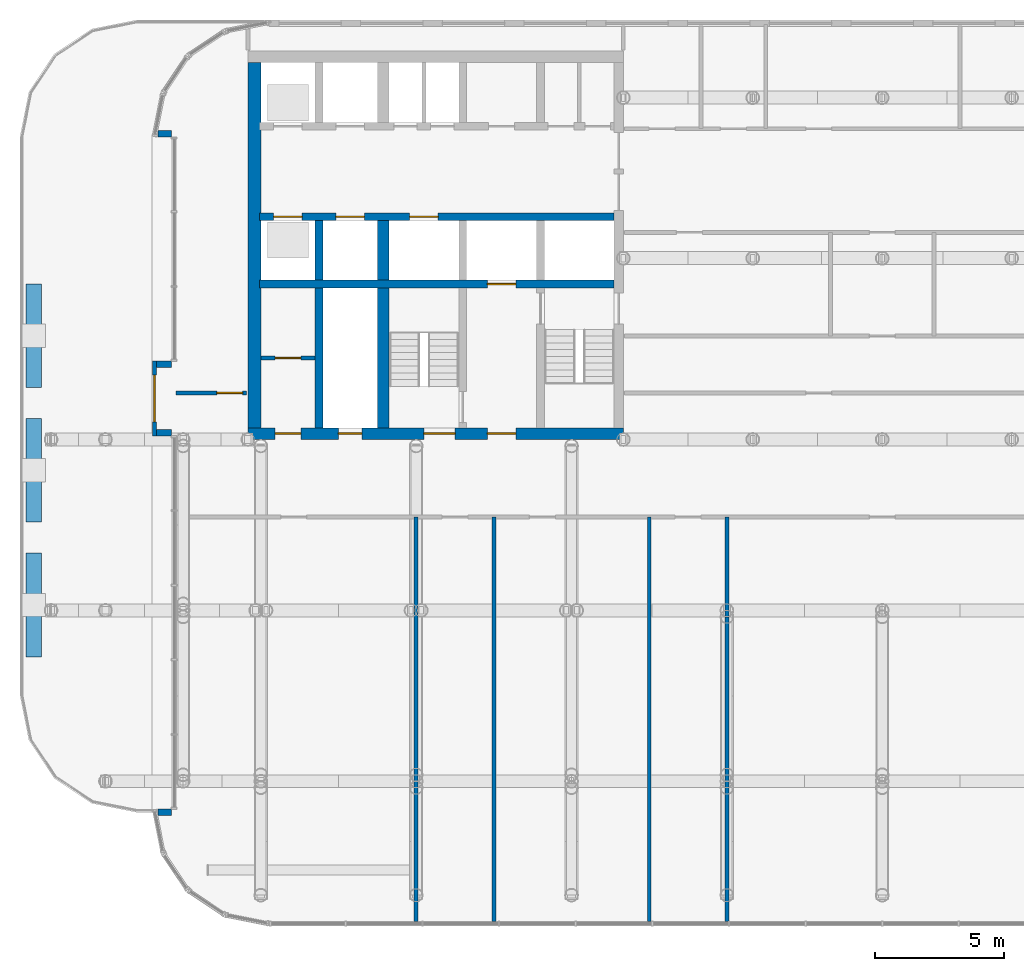
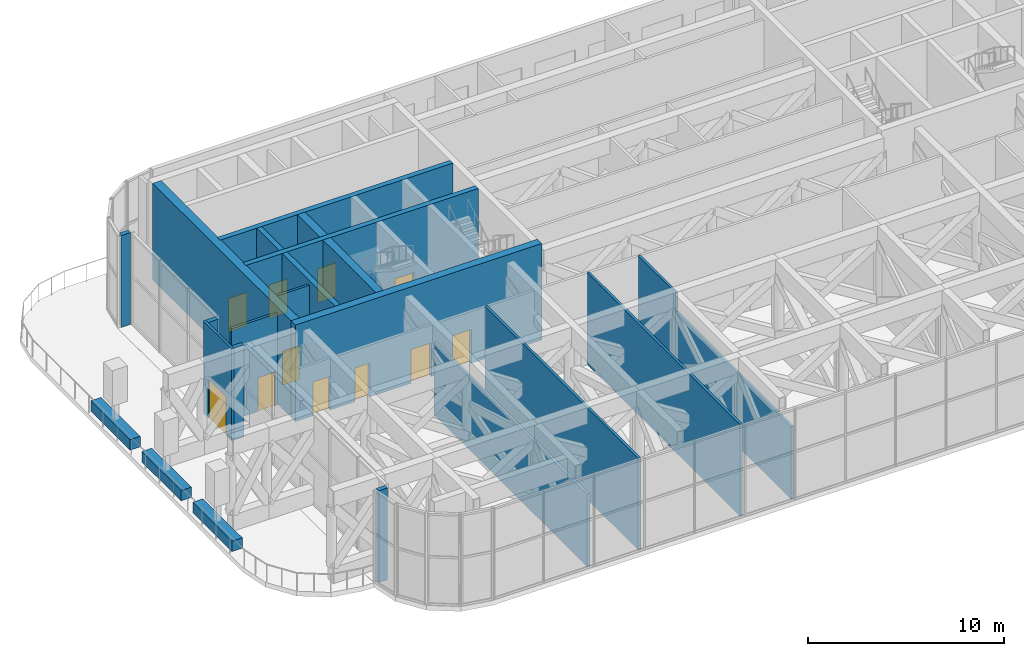
# One storey, part 16 of 25: 23 walls, 11 doors, 11 openings.
"""IFC4 building model written with IfcOpenShell, lengths in metres."""

from ifc_helpers import new_model, si_unit, direction, frame, frame_2d, origin, place, context, subcontext, project, spatial, rectangle, extrude, material, layer, layer_set, type_object, element, fill, save


model = new_model("IFC4")

# Units and contexts
model_context = context("Model", 3, precision=1e-05, world=origin(), true_north=direction((0.0, 1.0)))
body_context = subcontext(model_context, "Body", "Model", "MODEL_VIEW")
ifc_project = project(units=[si_unit("LENGTHUNIT", "METRE"), si_unit("AREAUNIT", "SQUARE_METRE"), si_unit("VOLUMEUNIT", "CUBIC_METRE"), si_unit("PLANEANGLEUNIT", "RADIAN"), si_unit("MASSUNIT", "GRAM", prefix="KILO")], contexts=[model_context])

# Site, building, storey
site_placement = place(None, origin())
site = spatial("IfcSite", under=ifc_project, at=site_placement, CompositionType="ELEMENT")
building_placement = place(site_placement, origin())
building = spatial("IfcBuilding", under=site, at=building_placement, Name="Torana Hotel and Residences", CompositionType="ELEMENT")
storey_placement = place(building_placement, frame((0.0, 0.0, 106.800048828125)))
storey = spatial("IfcBuildingStorey", under=building, at=storey_placement, Name="L27", CompositionType="ELEMENT", Elevation=106.800048828125)

# Wall, openings, doors
ifc_material_1 = material(Name="Concrete C70/85", Category="concrete")
ifc_layer_1 = layer(ifc_material_1, 0.300048828125)
ifc_layer_set_1 = layer_set([ifc_layer_1], Name="CORE WALL 300 C70/85")
wall_type_1 = type_object("IfcWallType", Name="CORE WALL 300 C70/85", PredefinedType="SHEAR", material=ifc_layer_set_1)
wall_1_placement = place(storey_placement, frame((-24.050048828125, -6.39990234375, 0.0), z_axis=(0.0, 0.0, 1.0), x_axis=(1.0, 0.0, 0.0)))
wall_1 = element("IfcWall", 1, at=wall_1_placement, inside=storey, type_object=wall_type_1, Name="Core wall W row-S", PredefinedType="SHEAR", context=body_context, shape_type="SweptSolid", body=[
    extrude(rectangle(XDim=13.699951171875, YDim=0.300048828125, at=frame_2d((6.85009765625, 0.0))), origin(), (0.0, 0.0, 1.0), 6.0),
])
opening_1_placement = place(wall_1_placement, frame((2.949951171875, 0.0, 0.0)))
opening_1 = element("IfcOpeningElement", 2, at=opening_1_placement, cuts=wall_1, Name="Opening LD", PredefinedType="OPENING", context=body_context, shape_type="SweptSolid", body=[
    extrude(rectangle(XDim=1.10009765625, YDim=2.10009765625, at=frame_2d((0.550048828125, 1.050048828125))), frame((0.0, 0.159912109375, 0.0), z_axis=(0.0, -1.0, 0.0), x_axis=(1.0, 0.0, 0.0)), (0.0, 0.0, 1.0), 0.320068359375),
])
opening_2_placement = place(wall_1_placement, frame((0.550048828125, 0.0, 0.0)))
opening_2 = element("IfcOpeningElement", 3, at=opening_2_placement, cuts=wall_1, Name="Opening LD", PredefinedType="OPENING", context=body_context, shape_type="SweptSolid", body=[
    extrude(rectangle(XDim=1.10009765625, YDim=2.10009765625, at=frame_2d((0.550048828125, 1.050048828125))), frame((0.0, 0.159912109375, 0.0), z_axis=(0.0, -1.0, 0.0), x_axis=(1.0, 0.0, 0.0)), (0.0, 0.0, 1.0), 0.320068359375),
])
opening_3_placement = place(wall_1_placement, frame((5.800048828125, 0.0, 0.0)))
opening_3 = element("IfcOpeningElement", 4, at=opening_3_placement, cuts=wall_1, Name="Opening LD", PredefinedType="OPENING", context=body_context, shape_type="SweptSolid", body=[
    extrude(rectangle(XDim=1.10009765625, YDim=2.10009765625, at=frame_2d((0.550048828125, 1.050048828125))), frame((0.0, 0.159912109375, 0.0), z_axis=(0.0, -1.0, 0.0), x_axis=(1.0, 0.0, 0.0)), (0.0, 0.0, 1.0), 0.320068359375),
])
ifc_material_2 = material(Name="Stainless steel 316", Category="steel")
door_type_1 = type_object("IfcDoorType", Name="LIFT LANDING DOOR LD 1100x2100", OperationType="DOUBLE_DOOR_SLIDING", PredefinedType="USERDEFINED", material=ifc_material_2)
door_1_placement = place(opening_1_placement, origin())
door_1 = element("IfcDoor", 5, at=door_1_placement, inside=storey, type_object=door_type_1, Name="Lift landing door S3 L27", ObjectType="LIFT LANDING DOOR", OperationType="DOUBLE_DOOR_SLIDING", OverallHeight=2.10009765625, OverallWidth=1.10009765625, PredefinedType="USERDEFINED", context=body_context, shape_type="SweptSolid", body=[
    extrude(rectangle(XDim=1.10009765625, YDim=2.10009765625, at=frame_2d((0.550048828125, 1.050048828125))), frame((0.0, 0.02490234375, 0.0), z_axis=(0.0, -1.0, 0.0), x_axis=(1.0, 0.0, 0.0)), (0.0, 0.0, 1.0), 0.050048828125),
])
fill(opening_1, door_1)
door_2_placement = place(opening_2_placement, origin())
door_2 = element("IfcDoor", 6, at=door_2_placement, inside=storey, type_object=door_type_1, Name="Lift landing door M2 L27", ObjectType="LIFT LANDING DOOR", OperationType="DOUBLE_DOOR_SLIDING", OverallHeight=2.10009765625, OverallWidth=1.10009765625, PredefinedType="USERDEFINED", context=body_context, shape_type="SweptSolid", body=[
    extrude(rectangle(XDim=1.10009765625, YDim=2.10009765625, at=frame_2d((0.550048828125, 1.050048828125))), frame((0.0, 0.02490234375, 0.0), z_axis=(0.0, -1.0, 0.0), x_axis=(1.0, 0.0, 0.0)), (0.0, 0.0, 1.0), 0.050048828125),
])
fill(opening_2, door_2)
door_3_placement = place(opening_3_placement, origin())
door_3 = element("IfcDoor", 7, at=door_3_placement, inside=storey, type_object=door_type_1, Name="Lift landing door SV1 L27", ObjectType="LIFT LANDING DOOR", OperationType="DOUBLE_DOOR_SLIDING", OverallHeight=2.10009765625, OverallWidth=1.10009765625, PredefinedType="USERDEFINED", context=body_context, shape_type="SweptSolid", body=[
    extrude(rectangle(XDim=1.10009765625, YDim=2.10009765625, at=frame_2d((0.550048828125, 1.050048828125))), frame((0.0, 0.02490234375, 0.0), z_axis=(0.0, -1.0, 0.0), x_axis=(1.0, 0.0, 0.0)), (0.0, 0.0, 1.0), 0.050048828125),
])
fill(opening_3, door_3)

# Wall, opening, door
wall_2_placement = place(storey_placement, frame((-24.050048828125, -9.0, 0.0), z_axis=(0.0, 0.0, 1.0), x_axis=(1.0, 0.0, 0.0)))
wall_2 = element("IfcWall", 8, at=wall_2_placement, inside=storey, type_object=wall_type_1, Name="Core wall W band", PredefinedType="SHEAR", context=body_context, shape_type="SweptSolid", body=[
    extrude(rectangle(XDim=13.699951171875, YDim=0.300048828125, at=frame_2d((6.85009765625, 0.0))), origin(), (0.0, 0.0, 1.0), 6.0),
])
opening_4_placement = place(wall_2_placement, frame((8.800048828125, 0.0, 0.0)))
opening_4 = element("IfcOpeningElement", 9, at=opening_4_placement, cuts=wall_2, Name="Opening LD", PredefinedType="OPENING", context=body_context, shape_type="SweptSolid", body=[
    extrude(rectangle(XDim=1.10009765625, YDim=2.10009765625, at=frame_2d((0.550048828125, 1.050048828125))), frame((0.0, 0.159912109375, 0.0), z_axis=(0.0, -1.0, 0.0), x_axis=(1.0, 0.0, 0.0)), (0.0, 0.0, 1.0), 0.320068359375),
])
door_4_placement = place(opening_4_placement, origin())
door_4 = element("IfcDoor", 10, at=door_4_placement, inside=storey, type_object=door_type_1, Name="Lift landing door FF1 L27", ObjectType="LIFT LANDING DOOR", OperationType="DOUBLE_DOOR_SLIDING", OverallHeight=2.10009765625, OverallWidth=1.10009765625, PredefinedType="USERDEFINED", context=body_context, shape_type="SweptSolid", body=[
    extrude(rectangle(XDim=1.10009765625, YDim=2.10009765625, at=frame_2d((0.550048828125, 1.050048828125))), frame((0.0, 0.02490234375, 0.0), z_axis=(0.0, -1.0, 0.0), x_axis=(1.0, 0.0, 0.0)), (0.0, 0.0, 1.0), 0.050048828125),
])
fill(opening_4, door_4)

# Walls
wall_3_placement = place(storey_placement, frame((-21.75, -8.85009765625, 0.0), z_axis=(0.0, 0.0, 1.0), x_axis=(0.0, 1.0, 0.0)))
element("IfcWall", 11, at=wall_3_placement, inside=storey, type_object=wall_type_1, Name="Core wall W mm-S", PredefinedType="SHEAR", context=body_context, shape_type="SweptSolid", body=[
    extrude(rectangle(XDim=2.300048828125, YDim=0.300048828125, at=frame_2d((1.14990234375, 0.0))), origin(), (0.0, 0.0, 1.0), 6.0),
])
wall_4_placement = place(storey_placement, frame((-21.75, -14.550048828125, 0.0), z_axis=(0.0, 0.0, 1.0), x_axis=(0.0, 1.0, 0.0)))
element("IfcWall", 12, at=wall_4_placement, inside=storey, type_object=wall_type_1, Name="Core wall W mm-band", PredefinedType="SHEAR", context=body_context, shape_type="SweptSolid", body=[
    extrude(rectangle(XDim=5.400146484375, YDim=0.300048828125, at=frame_2d((2.7001953125, 0.0))), origin(), (0.0, 0.0, 1.0), 6.0),
])

# Wall, openings, doors
ifc_material_3 = material(Name="Concrete C70/85", Category="concrete")
ifc_layer_2 = layer(ifc_material_3, 0.449951171875)
ifc_layer_set_2 = layer_set([ifc_layer_2], Name="CORE WALL 450 C70/85")
wall_type_2 = type_object("IfcWallType", Name="CORE WALL 450 C70/85", PredefinedType="SHEAR", material=ifc_layer_set_2)
wall_5_placement = place(storey_placement, frame((-24.5, -14.77490234375, 0.0), z_axis=(0.0, 0.0, 1.0), x_axis=(1.0, 0.0, 0.0)))
wall_5 = element("IfcWall", 13, at=wall_5_placement, inside=storey, type_object=wall_type_2, Name="Core wall W front", PredefinedType="SHEAR", context=body_context, shape_type="SweptSolid", body=[
    extrude(rectangle(XDim=14.5, YDim=0.449951171875, at=frame_2d((7.25, 0.0))), origin(), (0.0, 0.0, 1.0), 6.0),
])
opening_5_placement = place(wall_5_placement, frame((6.800048828125, 0.0, 0.0)))
opening_5 = element("IfcOpeningElement", 14, at=opening_5_placement, cuts=wall_5, Name="Opening L27-04", PredefinedType="OPENING", context=body_context, shape_type="SweptSolid", body=[
    extrude(rectangle(XDim=1.199951171875, YDim=2.10009765625, at=frame_2d((0.60009765625, 1.050048828125))), frame((0.0, 0.23486328125, 0.0), z_axis=(0.0, -1.0, 0.0), x_axis=(1.0, 0.0, 0.0)), (0.0, 0.0, 1.0), 0.469970703125),
])
opening_6_placement = place(wall_5_placement, frame((9.25, 0.0, 0.0)))
opening_6 = element("IfcOpeningElement", 15, at=opening_6_placement, cuts=wall_5, Name="Opening L27-05", PredefinedType="OPENING", context=body_context, shape_type="SweptSolid", body=[
    extrude(rectangle(XDim=1.10009765625, YDim=2.10009765625, at=frame_2d((0.550048828125, 1.050048828125))), frame((0.0, 0.23486328125, 0.0), z_axis=(0.0, -1.0, 0.0), x_axis=(1.0, 0.0, 0.0)), (0.0, 0.0, 1.0), 0.469970703125),
])
opening_7_placement = place(wall_5_placement, frame((3.5, 0.0, 0.0)))
opening_7 = element("IfcOpeningElement", 16, at=opening_7_placement, cuts=wall_5, Name="Opening L27-06", PredefinedType="OPENING", context=body_context, shape_type="SweptSolid", body=[
    extrude(rectangle(XDim=0.89990234375, YDim=2.10009765625, at=frame_2d((0.449951171875, 1.050048828125))), frame((0.0, 0.23486328125, 0.0), z_axis=(0.0, -1.0, 0.0), x_axis=(1.0, 0.0, 0.0)), (0.0, 0.0, 1.0), 0.469970703125),
])
opening_8_placement = place(wall_5_placement, frame((1.050048828125, 0.0, 0.0)))
opening_8 = element("IfcOpeningElement", 17, at=opening_8_placement, cuts=wall_5, Name="Opening L27-07", PredefinedType="OPENING", context=body_context, shape_type="SweptSolid", body=[
    extrude(rectangle(XDim=1.0, YDim=2.10009765625, at=frame_2d((0.5, 1.050048828125))), frame((0.0, 0.23486328125, 0.0), z_axis=(0.0, -1.0, 0.0), x_axis=(1.0, 0.0, 0.0)), (0.0, 0.0, 1.0), 0.469970703125),
])
ifc_material_4 = material(Name="Steel S235", Category="steel")
door_type_2 = type_object("IfcDoorType", Name="CORE ROOM FIRE DOOR D14 1000x2100", OperationType="SINGLE_SWING_LEFT", PredefinedType="DOOR", material=ifc_material_4)
door_5_placement = place(opening_8_placement, origin())
door_5 = element("IfcDoor", 18, at=door_5_placement, inside=storey, type_object=door_type_2, Name="M-Room-B door L27", OperationType="SINGLE_SWING_RIGHT", OverallHeight=2.10009765625, OverallWidth=1.0, PredefinedType="DOOR", context=body_context, shape_type="SweptSolid", body=[
    extrude(rectangle(XDim=1.0, YDim=2.10009765625, at=frame_2d((0.5, 1.050048828125))), frame((0.0, 0.02490234375, 0.0), z_axis=(0.0, -1.0, 0.0), x_axis=(1.0, 0.0, 0.0)), (0.0, 0.0, 1.0), 0.050048828125),
])
fill(opening_8, door_5)
ifc_material_5 = material(Name="Steel S235", Category="steel")
door_type_3 = type_object("IfcDoorType", Name="FIRE-FIGHTING LOBBY DOOR D8 1100x2100", OperationType="SINGLE_SWING_LEFT", PredefinedType="DOOR", material=ifc_material_5)
door_6_placement = place(opening_6_placement, origin())
door_6 = element("IfcDoor", 19, at=door_6_placement, inside=storey, type_object=door_type_3, Name="FF-lobby door L27", OperationType="SINGLE_SWING_RIGHT", OverallHeight=2.10009765625, OverallWidth=1.10009765625, PredefinedType="DOOR", context=body_context, shape_type="SweptSolid", body=[
    extrude(rectangle(XDim=1.10009765625, YDim=2.10009765625, at=frame_2d((0.550048828125, 1.050048828125))), frame((0.0, 0.02490234375, 0.0), z_axis=(0.0, -1.0, 0.0), x_axis=(1.0, 0.0, 0.0)), (0.0, 0.0, 1.0), 0.050048828125),
])
fill(opening_6, door_6)
ifc_material_6 = material(Name="Steel S235", Category="steel")
door_type_4 = type_object("IfcDoorType", Name="RISER ACCESS DOOR D5 900x2100", OperationType="SINGLE_SWING_LEFT", PredefinedType="DOOR", material=ifc_material_6)
door_7_placement = place(opening_7_placement, origin())
door_7 = element("IfcDoor", 20, at=door_7_placement, inside=storey, type_object=door_type_4, Name="M-Riser door L27", OperationType="SINGLE_SWING_RIGHT", OverallHeight=2.10009765625, OverallWidth=0.89990234375, PredefinedType="DOOR", context=body_context, shape_type="SweptSolid", body=[
    extrude(rectangle(XDim=0.89990234375, YDim=2.10009765625, at=frame_2d((0.449951171875, 1.050048828125))), frame((0.0, 0.02490234375, 0.0), z_axis=(0.0, -1.0, 0.0), x_axis=(1.0, 0.0, 0.0)), (0.0, 0.0, 1.0), 0.050048828125),
])
fill(opening_7, door_7)
ifc_material_7 = material(Name="Steel S235", Category="steel")
door_type_5 = type_object("IfcDoorType", Name="STAIR FIRE DOOR D3 1200x2100", OperationType="SINGLE_SWING_LEFT", PredefinedType="DOOR", material=ifc_material_7)
door_8_placement = place(opening_5_placement, origin())
door_8 = element("IfcDoor", 21, at=door_8_placement, inside=storey, type_object=door_type_5, Name="Stair-B door L27", OperationType="SINGLE_SWING_LEFT", OverallHeight=2.10009765625, OverallWidth=1.199951171875, PredefinedType="DOOR", context=body_context, shape_type="SweptSolid", body=[
    extrude(rectangle(XDim=1.199951171875, YDim=2.10009765625, at=frame_2d((0.60009765625, 1.050048828125))), frame((0.0, 0.02490234375, 0.0), z_axis=(0.0, -1.0, 0.0), x_axis=(1.0, 0.0, 0.0)), (0.0, 0.0, 1.0), 0.050048828125),
])
fill(opening_5, door_8)

# Walls
wall_6_placement = place(storey_placement, frame((-19.27490234375, -8.85009765625, 0.0), z_axis=(0.0, 0.0, 1.0), x_axis=(0.0, 1.0, 0.0)))
element("IfcWall", 22, at=wall_6_placement, inside=storey, type_object=wall_type_2, Name="Core wall W hm-S", PredefinedType="SHEAR", context=body_context, shape_type="SweptSolid", body=[
    extrude(rectangle(XDim=2.300048828125, YDim=0.449951171875, at=frame_2d((1.14990234375, 0.0))), origin(), (0.0, 0.0, 1.0), 6.0),
])
wall_7_placement = place(storey_placement, frame((-19.27490234375, -14.550048828125, 0.0), z_axis=(0.0, 0.0, 1.0), x_axis=(0.0, 1.0, 0.0)))
element("IfcWall", 23, at=wall_7_placement, inside=storey, type_object=wall_type_2, Name="Core wall W hm-band", PredefinedType="SHEAR", context=body_context, shape_type="SweptSolid", body=[
    extrude(rectangle(XDim=5.400146484375, YDim=0.449951171875, at=frame_2d((2.7001953125, 0.0))), origin(), (0.0, 0.0, 1.0), 6.0),
])
ifc_material_8 = material(Name="Concrete C70/85", Category="concrete")
ifc_layer_3 = layer(ifc_material_8, 0.5)
ifc_layer_set_3 = layer_set([ifc_layer_3], Name="CORE WALL 500 C70/85")
wall_type_3 = type_object("IfcWallType", Name="CORE WALL 500 C70/85", PredefinedType="SHEAR", material=ifc_layer_set_3)
wall_8_placement = place(storey_placement, frame((-24.25, -14.550048828125, 0.0), z_axis=(0.0, 0.0, 1.0), x_axis=(0.0, 1.0, 0.0)))
element("IfcWall", 24, at=wall_8_placement, inside=storey, type_object=wall_type_3, Name="Core wall W outer", PredefinedType="SHEAR", context=body_context, shape_type="SweptSolid", body=[
    extrude(rectangle(XDim=14.10009765625, YDim=0.5, at=frame_2d((7.050048828125, 0.0))), origin(), (0.0, 0.0, 1.0), 6.0),
])
ifc_material_9 = material(Name="Black aluminium composite panel", Category="aluminium")
ifc_layer_4 = layer(ifc_material_9, 0.00390625, Name="Cladding", Category="cladding")
ifc_material_10 = material(Name="Ventilated air cavity")
ifc_layer_5 = layer(ifc_material_10, 0.0400390625, Name="Ventilated cavity", Category="cavity")
ifc_material_11 = material(Name="Mineral wool insulation")
ifc_layer_6 = layer(ifc_material_11, 0.090087890625, Name="Insulation", Category="insulation")
ifc_material_12 = material(Name="Steel S280GD", Category="steel")
ifc_layer_7 = layer(ifc_material_12, 0.092041015625, Name="Steel stud frame", Category="structure")
ifc_material_13 = material(Name="Fire rated plasterboard")
ifc_layer_8 = layer(ifc_material_13, 0.011962890625, Name="Inner board", Category="finish")
ifc_layer_9 = layer(ifc_material_13, 0.011962890625, Name="Second board", Category="finish")
ifc_layer_set_4 = layer_set([ifc_layer_4, ifc_layer_5, ifc_layer_6, ifc_layer_7, ifc_layer_8, ifc_layer_9], Name="EW1 EXTERNAL WALL BLACK METAL CLAD 250")
wall_type_4 = type_object("IfcWallType", Name="EW1 EXTERNAL WALL BLACK METAL CLAD 250", PredefinedType="SOLIDWALL", material=ifc_layer_set_4)
for number, where, z_axis, x_axis, name in (
    (25, (-27.455078125, -12.099853515625, 0.0), (0.0, 0.0, 1.0), (-1.0, 0.0, 0.0), "External wall L27 e0.9.3 bay return 1"),
    (26, (-27.455078125, -14.7333984375, 0.0), (0.0, 0.0, 1.0), (-1.0, 0.0, 0.0), "External wall L27 e0.9.3 bay return 2"),
):
    element("IfcWall", number, at=place(storey_placement, frame(where, z_axis=z_axis, x_axis=x_axis)), inside=storey, type_object=wall_type_4, Name=name, PredefinedType="SOLIDWALL", context=body_context, shape_type="SweptSolid", body=[
        extrude(rectangle(XDim=0.56982421875, YDim=0.25, at=frame_2d((0.284912109375, 0.0))), origin(), (0.0, 0.0, 1.0), 5.719970703125),
    ])
for number, where, z_axis, x_axis, name in (
    (27, (-27.455078125, -3.19970703125, 0.0), (0.0, 0.0, 1.0), (-1.0, 0.0, 0.0), "External wall L27 e0.9 return 1"),
    (28, (-27.455078125, -29.400390625, 0.0), (0.0, 0.0, 1.0), (-1.0, 0.0, 0.0), "External wall L27 e0.9 return 2"),
):
    element("IfcWall", number, at=place(storey_placement, frame(where, z_axis=z_axis, x_axis=x_axis)), inside=storey, type_object=wall_type_4, Name=name, PredefinedType="SOLIDWALL", context=body_context, shape_type="SweptSolid", body=[
        extrude(rectangle(XDim=0.52490234375, YDim=0.25, at=frame_2d((0.262451171875, 0.0))), origin(), (0.0, 0.0, 1.0), 5.719970703125),
    ])

# Wall, opening, door
ifc_material_14 = material(Name="Gypsum plaster")
ifc_layer_10 = layer(ifc_material_14, 0.014892578125, Name="Plaster", Category="finish")
ifc_material_15 = material(Name="Concrete blockwork", Category="masonry")
ifc_layer_11 = layer(ifc_material_15, 0.1201171875, Name="Blockwork", Category="structure")
ifc_layer_12 = layer(ifc_material_14, 0.014892578125, Name="Plaster", Category="finish")
ifc_layer_set_5 = layer_set([ifc_layer_10, ifc_layer_11, ifc_layer_12], Name="FIRE PARTITION 150 BLOCKWORK")
wall_type_5 = type_object("IfcWallType", Name="FIRE PARTITION 150 BLOCKWORK", PredefinedType="PARTITIONING", material=ifc_layer_set_5)
wall_9_placement = place(storey_placement, frame((-24.0, -11.85009765625, 0.0), z_axis=(0.0, 0.0, 1.0), x_axis=(1.0, 0.0, 0.0)))
wall_9 = element("IfcWall", 29, at=wall_9_placement, inside=storey, type_object=wall_type_5, Name="Core partition L27", PredefinedType="PARTITIONING", context=body_context, shape_type="SweptSolid", body=[
    extrude(rectangle(XDim=2.10009765625, YDim=0.14990234375, at=frame_2d((1.050048828125, 0.0))), origin(), (0.0, 0.0, 1.0), 5.699951171875),
])
opening_9_placement = place(wall_9_placement, frame((0.550048828125, 0.0, 0.0)))
opening_9 = element("IfcOpeningElement", 30, at=opening_9_placement, cuts=wall_9, Name="Opening L27-29", PredefinedType="OPENING", context=body_context, shape_type="SweptSolid", body=[
    extrude(rectangle(XDim=1.0, YDim=2.10009765625, at=frame_2d((0.5, 1.050048828125))), frame((0.0, 0.0849609375, 0.0), z_axis=(0.0, -1.0, 0.0), x_axis=(1.0, 0.0, 0.0)), (0.0, 0.0, 1.0), 0.169921875),
])
door_9_placement = place(opening_9_placement, origin())
door_9 = element("IfcDoor", 31, at=door_9_placement, inside=storey, type_object=door_type_2, Name="Plant room door L27", OperationType="SINGLE_SWING_RIGHT", OverallHeight=2.10009765625, OverallWidth=1.0, PredefinedType="DOOR", context=body_context, shape_type="SweptSolid", body=[
    extrude(rectangle(XDim=1.0, YDim=2.10009765625, at=frame_2d((0.5, 1.050048828125))), frame((0.0, 0.02490234375, 0.0), z_axis=(0.0, -1.0, 0.0), x_axis=(1.0, 0.0, 0.0)), (0.0, 0.0, 1.0), 0.050048828125),
])
fill(opening_9, door_9)

wall_10_placement = place(storey_placement, frame((-27.27490234375, -13.199951171875, 0.0), z_axis=(0.0, 0.0, 1.0), x_axis=(1.0, 0.0, 0.0)))
wall_10 = element("IfcWall", 32, at=wall_10_placement, inside=storey, type_object=wall_type_5, Name="Partition L27", PredefinedType="PARTITIONING", context=body_context, shape_type="SweptSolid", body=[
    extrude(rectangle(XDim=2.724853515625, YDim=0.14990234375, at=frame_2d((1.3623046875, 0.0))), origin(), (0.0, 0.0, 1.0), 5.699951171875),
])
opening_10_placement = place(wall_10_placement, frame((1.574951171875, 0.0, 0.0)))
opening_10 = element("IfcOpeningElement", 33, at=opening_10_placement, cuts=wall_10, Name="Opening L27-41", PredefinedType="OPENING", context=body_context, shape_type="SweptSolid", body=[
    extrude(rectangle(XDim=1.0, YDim=2.10009765625, at=frame_2d((0.5, 1.050048828125))), frame((0.0, 0.0849609375, 0.0), z_axis=(0.0, -1.0, 0.0), x_axis=(1.0, 0.0, 0.0)), (0.0, 0.0, 1.0), 0.169921875),
])
door_10_placement = place(opening_10_placement, origin())
door_10 = element("IfcDoor", 34, at=door_10_placement, inside=storey, type_object=door_type_2, Name="Door L27", OperationType="SINGLE_SWING_LEFT", OverallHeight=2.10009765625, OverallWidth=1.0, PredefinedType="DOOR", context=body_context, shape_type="SweptSolid", body=[
    extrude(rectangle(XDim=1.0, YDim=2.10009765625, at=frame_2d((0.5, 1.050048828125))), frame((0.0, 0.02490234375, 0.0), z_axis=(0.0, -1.0, 0.0), x_axis=(1.0, 0.0, 0.0)), (0.0, 0.0, 1.0), 0.050048828125),
])
fill(opening_10, door_10)

ifc_material_16 = material(Name="Dark glass screen in aluminium frame", Category="aluminium")
ifc_layer_13 = layer(ifc_material_16, 0.14990234375)
ifc_layer_set_6 = layer_set([ifc_layer_13], Name="GS1 GLAZED DOOR SCREEN 150")
wall_type_6 = type_object("IfcWallType", Name="GS1 GLAZED DOOR SCREEN 150", PredefinedType="USERDEFINED", material=ifc_layer_set_6)
wall_11_placement = place(storey_placement, frame((-28.10009765625, -11.974853515625, 0.0), z_axis=(0.0, 0.0, 1.0), x_axis=(0.0, -1.0, 0.0)))
wall_11 = element("IfcWall", 35, at=wall_11_placement, inside=storey, type_object=wall_type_6, Name="Glazed door screen L27", ObjectType="GLAZED SCREEN", PredefinedType="USERDEFINED", context=body_context, shape_type="SweptSolid", body=[
    extrude(rectangle(XDim=2.883544921875, YDim=0.14990234375, at=frame_2d((1.44189453125, 0.0))), origin(), (0.0, 0.0, 1.0), 5.719970703125),
])
opening_11_placement = place(wall_11_placement, frame((0.541748046875, 0.0, 0.0)))
opening_11 = element("IfcOpeningElement", 36, at=opening_11_placement, cuts=wall_11, Name="Opening L27-E01", PredefinedType="OPENING", context=body_context, shape_type="SweptSolid", body=[
    extrude(rectangle(XDim=1.800048828125, YDim=2.39990234375, at=frame_2d((0.89990234375, 1.199951171875))), frame((0.0, 0.0849609375, 0.0), z_axis=(0.0, -1.0, 0.0), x_axis=(1.0, 0.0, 0.0)), (0.0, 0.0, 1.0), 0.169921875),
])
ifc_material_17 = material(Name="Dark glass in black aluminium frame", Category="aluminium")
door_type_6 = type_object("IfcDoorType", Name="DE2 TERRACE DOOR 1800x2400", OperationType="DOUBLE_DOOR_SINGLE_SWING", PredefinedType="DOOR", material=ifc_material_17)
door_11_placement = place(opening_11_placement, origin())
door_11 = element("IfcDoor", 37, at=door_11_placement, inside=storey, type_object=door_type_6, Name="Terrace door L27", OperationType="DOUBLE_DOOR_SINGLE_SWING", OverallHeight=2.39990234375, OverallWidth=1.800048828125, PredefinedType="DOOR", context=body_context, shape_type="SweptSolid", body=[
    extrude(rectangle(XDim=1.800048828125, YDim=2.39990234375, at=frame_2d((0.89990234375, 1.199951171875))), frame((0.0, 0.02490234375, 0.0), z_axis=(0.0, -1.0, 0.0), x_axis=(1.0, 0.0, 0.0)), (0.0, 0.0, 1.0), 0.050048828125),
])
fill(opening_11, door_11)

# Walls
ifc_material_18 = material(Name="Gypsum plasterboard")
ifc_layer_14 = layer(ifc_material_18, 0.012451171875, Name="Plasterboard", Category="finish")
ifc_layer_15 = layer(ifc_material_18, 0.012451171875, Name="Plasterboard", Category="finish")
ifc_layer_16 = layer(ifc_material_12, 0.10009765625, Name="Steel studs with mineral wool", Category="insulation")
ifc_layer_17 = layer(ifc_material_18, 0.012451171875, Name="Plasterboard", Category="finish")
ifc_layer_18 = layer(ifc_material_18, 0.012451171875, Name="Plasterboard", Category="finish")
ifc_layer_set_7 = layer_set([ifc_layer_14, ifc_layer_15, ifc_layer_16, ifc_layer_17, ifc_layer_18], Name="PARTITION 150 PLASTERBOARD")
wall_type_7 = type_object("IfcWallType", Name="PARTITION 150 PLASTERBOARD", PredefinedType="PARTITIONING", material=ifc_layer_set_7)
wall_12_placement = place(storey_placement, frame((-6.0, -33.6201171875, 0.0), z_axis=(0.0, 0.0, 1.0), x_axis=(0.0, 1.0, 0.0)))
element("IfcWall", 38, at=wall_12_placement, inside=storey, type_object=wall_type_7, Name="Partition L27", PredefinedType="PARTITIONING", context=body_context, shape_type="SweptSolid", body=[
    extrude(rectangle(XDim=11.77001953125, YDim=0.14990234375, at=frame_2d((5.885009765625, 0.0))), origin(), (0.0, 0.0, 1.0), 4.52001953125),
])
for number, where, z_axis, x_axis, name in (
    (39, (-9.0, -33.6201171875, 0.0), (0.0, 0.0, 1.0), (0.0, 1.0, 0.0), "Partition L27"),
    (40, (-15.0, -33.6201171875, 0.0), (0.0, 0.0, 1.0), (0.0, 1.0, 0.0), "Partition L27"),
):
    element("IfcWall", number, at=place(storey_placement, frame(where, z_axis=z_axis, x_axis=x_axis)), inside=storey, type_object=wall_type_7, Name=name, PredefinedType="PARTITIONING", context=body_context, shape_type="SweptSolid", body=[
        extrude(rectangle(XDim=15.6201171875, YDim=0.14990234375, at=frame_2d((7.81005859375, 0.0))), origin(), (0.0, 0.0, 1.0), 5.699951171875),
    ])
wall_13_placement = place(storey_placement, frame((-18.0, -33.6201171875, 0.0), z_axis=(0.0, 0.0, 1.0), x_axis=(0.0, 1.0, 0.0)))
element("IfcWall", 41, at=wall_13_placement, inside=storey, type_object=wall_type_7, Name="Partition L27", PredefinedType="PARTITIONING", context=body_context, shape_type="SweptSolid", body=[
    extrude(rectangle(XDim=15.6201171875, YDim=0.14990234375, at=frame_2d((7.81005859375, 0.0))), origin(), (0.0, 0.0, 1.0), 4.52001953125),
])
wall_14_placement = place(storey_placement, frame((-6.0, -21.85009765625, 0.0), z_axis=(0.0, 0.0, 1.0), x_axis=(0.0, 1.0, 0.0)))
element("IfcWall", 42, at=wall_14_placement, inside=storey, type_object=wall_type_7, Name="Partition L27", PredefinedType="PARTITIONING", context=body_context, shape_type="SweptSolid", body=[
    extrude(rectangle(XDim=3.85009765625, YDim=0.14990234375, at=frame_2d((1.925048828125, 0.0))), origin(), (0.0, 0.0, 1.0), 5.699951171875),
])
ifc_material_19 = material(Name="Concrete C40/50 precast", Category="concrete")
ifc_layer_19 = layer(ifc_material_19, 0.10009765625, Name="Planter shell", Category="structure")
ifc_material_20 = material(Name="Root resistant membrane")
ifc_layer_20 = layer(ifc_material_20, 0.00390625, Name="Waterproofing membrane", Category="membrane")
ifc_material_21 = material(Name="Drainage board with filter fleece")
ifc_layer_21 = layer(ifc_material_21, 0.02001953125, Name="Drainage board", Category="drainage")
ifc_material_22 = material(Name="Growing medium")
ifc_layer_22 = layer(ifc_material_22, 0.47607421875, Name="Planting substrate", Category="soil")
ifc_layer_set_8 = layer_set([ifc_layer_19, ifc_layer_20, ifc_layer_21, ifc_layer_22], Name="PL1 BALCONY PLANTER 600")
wall_type_8 = type_object("IfcWallType", Name="PL1 BALCONY PLANTER 600", PredefinedType="USERDEFINED", material=ifc_layer_set_8)
for number, where, z_axis, x_axis, name in (
    (43, (-32.77001953125, -23.39208984375, 0.0), (0.0, 0.0, 1.0), (0.0, 1.0, 0.0), "Planter L27 2.1"),
    (44, (-32.77001953125, -18.192138671875, 0.0), (0.0, 0.0, 1.0), (0.0, 1.0, 0.0), "Planter L27 2.2"),
    (45, (-32.77001953125, -12.9921875, 0.0), (0.0, 0.0, 1.0), (0.0, 1.0, 0.0), "Planter L27 2.3"),
):
    element("IfcWall", number, at=place(storey_placement, frame(where, z_axis=z_axis, x_axis=x_axis)), inside=storey, type_object=wall_type_8, Name=name, ObjectType="PLANTER", PredefinedType="USERDEFINED", context=body_context, shape_type="SweptSolid", body=[
        extrude(rectangle(XDim=4.0, YDim=0.60009765625, at=frame_2d((2.0, 0.0))), origin(), (0.0, 0.0, 1.0), 0.64990234375),
    ])

save(model, "model.ifc")
